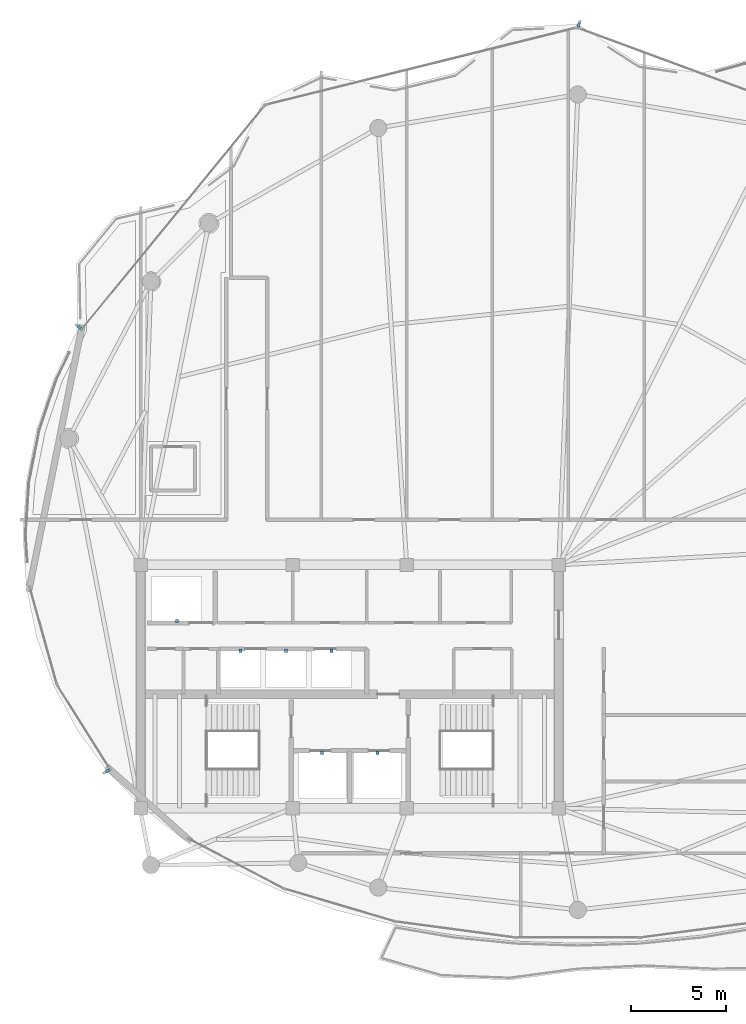
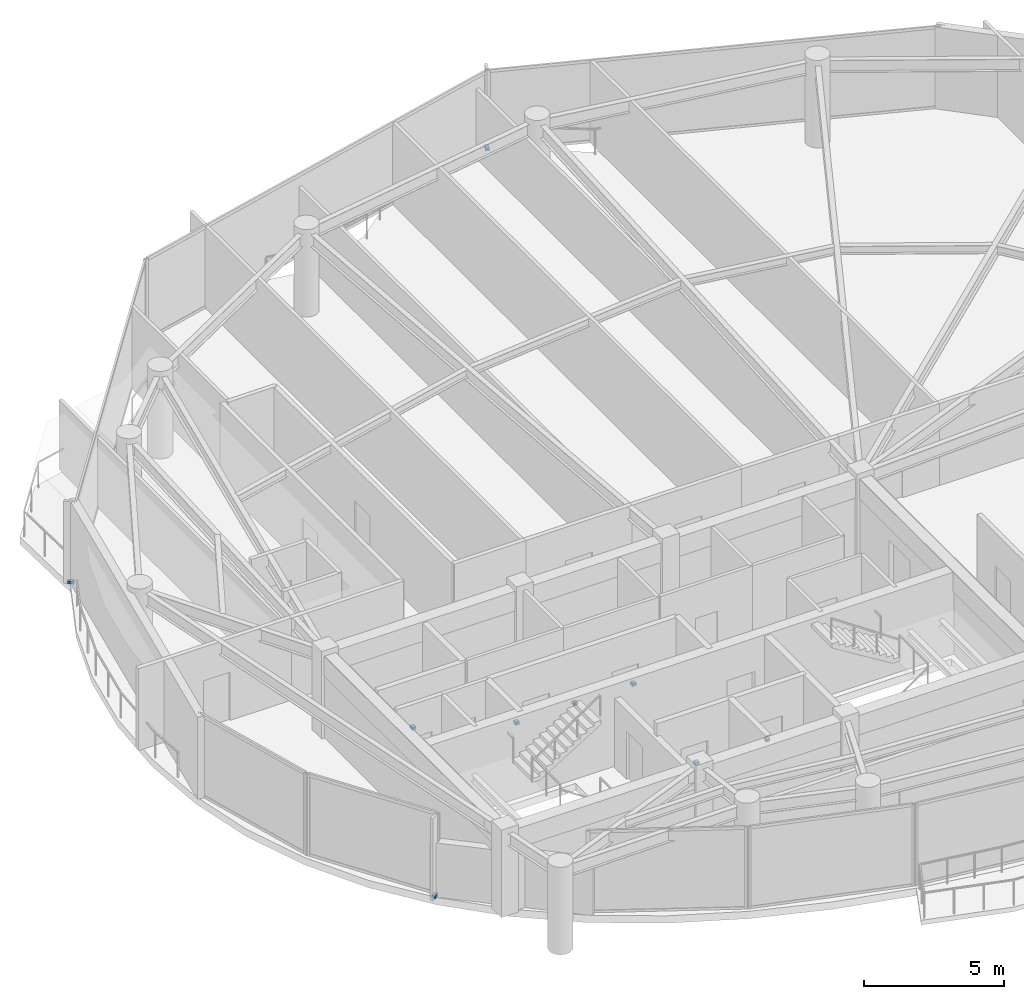
# One storey, part 26 of 29: 9 discrete accessories.
"""IFC4 building model written with IfcOpenShell, lengths in metres."""

from ifc_helpers import new_model, si_unit, direction, frame, origin, origin_2d, place, context, subcontext, project, spatial, rectangle, extrude, material, type_object, element, save


model = new_model("IFC4")

# Units and contexts
model_context = context("Model", 3, precision=1e-05, world=origin(), true_north=direction((0.0, 1.0)))
body_context = subcontext(model_context, "Body", "Model", "MODEL_VIEW")
ifc_project = project(units=[si_unit("LENGTHUNIT", "METRE"), si_unit("AREAUNIT", "SQUARE_METRE"), si_unit("VOLUMEUNIT", "CUBIC_METRE"), si_unit("PLANEANGLEUNIT", "RADIAN"), si_unit("MASSUNIT", "GRAM", prefix="KILO")], contexts=[model_context])

# Site, building, storey
site_placement = place(None, origin())
site = spatial("IfcSite", under=ifc_project, at=site_placement, CompositionType="ELEMENT")
building_placement = place(site_placement, origin())
building = spatial("IfcBuilding", under=site, at=building_placement, Name="Kazevale Care Tower and Concert Hall", CompositionType="ELEMENT")
storey_placement = place(building_placement, frame((0.0, 0.0, 281.39990234375)))
storey = spatial("IfcBuildingStorey", under=building, at=storey_placement, Name="L74", CompositionType="ELEMENT", Elevation=281.39990234375)

# Discrete accessories
ifc_material = material(Name="Stainless Steel 316", Category="steel")
discrete_accessory_type_1 = type_object("IfcDiscreteAccessoryType", Name="Facade Fin Stainless Anchor Bracket BRK-1", PredefinedType="BRACKET", material=ifc_material)
for number, where, z_axis, x_axis, name in (
    (1, (20.247802734375, 25.560302734375, 0.0), (0.0, 0.0, 1.0), (-0.846657866138, -0.532137630417, 0.0), "cw:L74:f11:brk"),
    (2, (18.766845703125, 48.902587890625, 0.0), (0.0, 0.0, 1.0), (-0.773840209727, 0.633380872628, 0.0), "cw:L74:f14:brk"),
    (3, (45.047607421875, 64.8125, 0.0), (0.0, 0.0, 1.0), (0.346935651573, 0.937888934612, 0.0), "cw:L74:f16:brk"),
):
    element("IfcDiscreteAccessory", number, at=place(storey_placement, frame(where, z_axis=z_axis, x_axis=x_axis)), inside=storey, type_object=discrete_accessory_type_1, Name=name, PredefinedType="BRACKET", context=body_context, shape_type="SweptSolid", body=[
        extrude(rectangle(XDim=0.239990234375, YDim=0.139892578125, at=origin_2d()), origin(), (0.0, 0.0, 1.0), 0.1201171875),
    ])
discrete_accessory_type_2 = type_object("IfcDiscreteAccessoryType", Name="Hoistway Guide-Rail Wall Bracket HBRK-1", PredefinedType="BRACKET", material=ifc_material)
for number, where, z_axis, x_axis, name in (
    (4, (31.550048828125, 26.52001953125, 1.239990234375), (0.0, 0.0, 1.0), (1.0, 0.0, 0.0), "hbrk:FFL-1:L74"),
    (5, (34.449951171875, 26.52001953125, 1.239990234375), (0.0, 0.0, 1.0), (1.0, 0.0, 0.0), "hbrk:FFL-2:L74"),
    (6, (23.89990234375, 33.449951171875, 1.239990234375), (0.0, 0.0, 1.0), (1.0, 0.0, 0.0), "hbrk:SVL-1:L74"),
    (7, (27.25, 31.8798828125, 1.239990234375), (0.0, 0.0, 1.0), (1.0, 0.0, 0.0), "hbrk:PH-1:L74"),
    (8, (29.64990234375, 31.8798828125, 1.239990234375), (0.0, 0.0, 1.0), (1.0, 0.0, 0.0), "hbrk:PH-2:L74"),
    (9, (32.050048828125, 31.8798828125, 1.239990234375), (0.0, 0.0, 1.0), (1.0, 0.0, 0.0), "hbrk:PH-3:L74"),
):
    element("IfcDiscreteAccessory", number, at=place(storey_placement, frame(where, z_axis=z_axis, x_axis=x_axis)), inside=storey, type_object=discrete_accessory_type_2, Name=name, PredefinedType="BRACKET", context=body_context, shape_type="SweptSolid", body=[
        extrude(rectangle(XDim=0.159912109375, YDim=0.179931640625, at=origin_2d()), origin(), (0.0, 0.0, 1.0), 0.1201171875),
    ])

save(model, "model.ifc")
